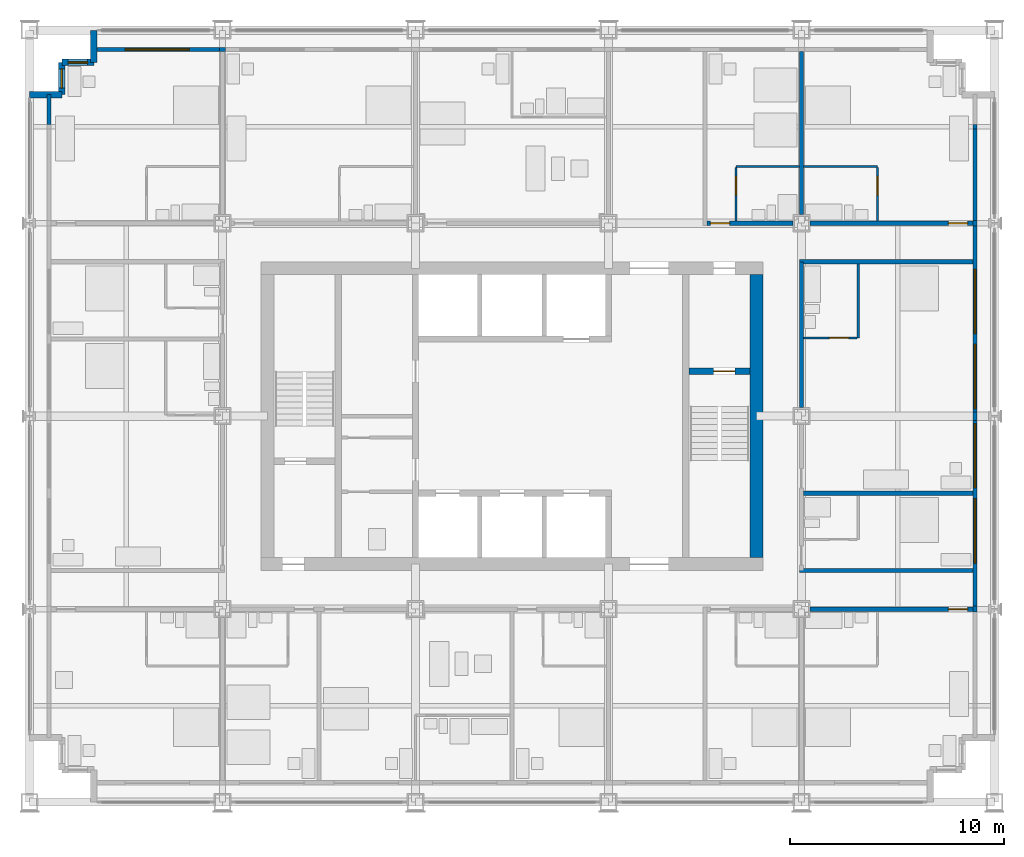
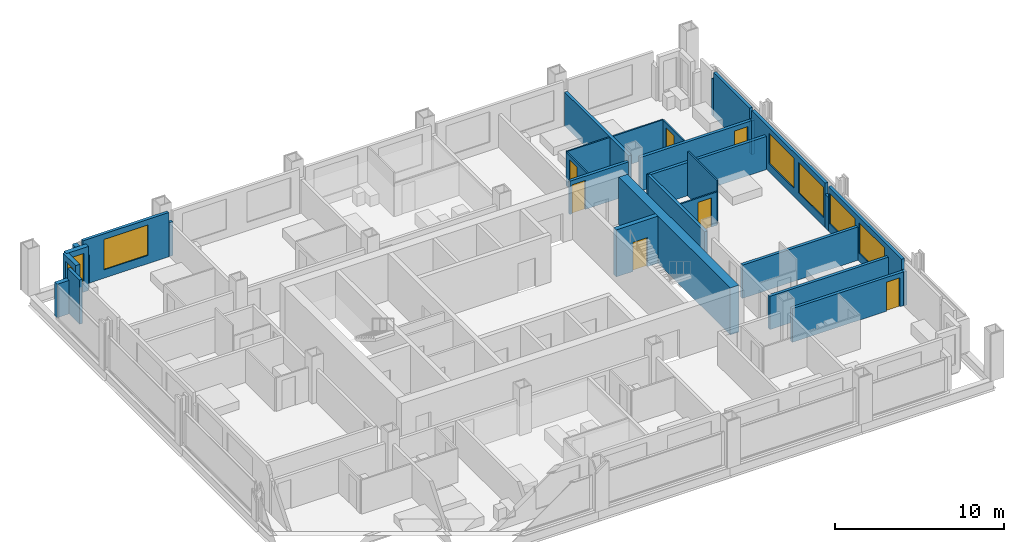
# One storey, part 12 of 16: 30 walls, 7 doors, 7 windows, 14 openings.
"""IFC4 building model written with IfcOpenShell, lengths in metres."""

from ifc_helpers import new_model, si_unit, direction, frame, frame_2d, origin, place, context, subcontext, project, spatial, rectangle, extrude, material, layer, layer_set, type_object, element, fill, save


model = new_model("IFC4")

# Units and contexts
model_context = context("Model", 3, precision=1e-05, world=origin(), true_north=direction((0.0, 1.0)))
body_context = subcontext(model_context, "Body", "Model", "MODEL_VIEW")
ifc_project = project(units=[si_unit("LENGTHUNIT", "METRE"), si_unit("AREAUNIT", "SQUARE_METRE"), si_unit("VOLUMEUNIT", "CUBIC_METRE"), si_unit("PLANEANGLEUNIT", "RADIAN"), si_unit("MASSUNIT", "GRAM", prefix="KILO")], contexts=[model_context])

# Site, building, storey
site_placement = place(None, origin())
site = spatial("IfcSite", under=ifc_project, at=site_placement, CompositionType="ELEMENT")
building_placement = place(site_placement, origin())
building = spatial("IfcBuilding", under=site, at=building_placement, Name="Loomwork Tower", CompositionType="ELEMENT")
storey_placement = place(building_placement, frame((0.0, 0.0, 121.39990234375)))
storey = spatial("IfcBuildingStorey", under=building, at=storey_placement, Name="L32", CompositionType="ELEMENT", Elevation=121.39990234375)

# Wall, opening, door
ifc_material_1 = material(Name="Concrete 14000 psi (97 MPa)", Category="concrete")
ifc_layer_1 = layer(ifc_material_1, 0.300048828125)
ifc_layer_set_1 = layer_set([ifc_layer_1], Name="Core shear wall 300")
wall_type_1 = type_object("IfcWallType", Name="Core shear wall 300", PredefinedType="SHEAR", material=ifc_layer_set_1)
wall_1_placement = place(storey_placement, frame((30.75, 20.10009765625, 0.0), z_axis=(0.0, 0.0, 1.0), x_axis=(1.0, 0.0, 0.0)))
wall_1 = element("IfcWall", 1, at=wall_1_placement, inside=storey, type_object=wall_type_1, Name="Stair B north wall L32", PredefinedType="SHEAR", context=body_context, shape_type="SweptSolid", body=[
    extrude(rectangle(XDim=2.85009765625, YDim=0.300048828125, at=frame_2d((1.425048828125, 0.0))), origin(), (0.0, 0.0, 1.0), 3.400146484375),
])
opening_1_placement = place(wall_1_placement, frame((1.14990234375, 0.0, 0.0)))
opening_1 = element("IfcOpeningElement", 2, at=opening_1_placement, cuts=wall_1, Name="Opening D4", PredefinedType="OPENING", context=body_context, shape_type="SweptSolid", body=[
    extrude(rectangle(XDim=1.0, YDim=2.10009765625, at=frame_2d((0.5, 1.050048828125))), frame((0.0, 0.159912109375, 0.0), z_axis=(0.0, -1.0, 0.0), x_axis=(1.0, 0.0, 0.0)), (0.0, 0.0, 1.0), 0.320068359375),
])
ifc_material_2 = material(Name="Hollow metal door and frame")
door_type_1 = type_object("IfcDoorType", Name="Stair door 1000", OperationType="SINGLE_SWING_RIGHT", PredefinedType="DOOR", material=ifc_material_2)
door_1_placement = place(opening_1_placement, frame((1.0, 0.0, 0.0), z_axis=(0.0, 0.0, 1.0), x_axis=(-1.0, 0.0, 0.0)))
door_1 = element("IfcDoor", 3, at=door_1_placement, inside=storey, type_object=door_type_1, Name="Stair B door", OperationType="SINGLE_SWING_LEFT", OverallHeight=2.10009765625, OverallWidth=1.0, PredefinedType="DOOR", context=body_context, shape_type="SweptSolid", body=[
    extrude(rectangle(XDim=1.0, YDim=2.10009765625, at=frame_2d((0.5, 1.050048828125))), frame((0.0, 0.02490234375, 0.0), z_axis=(0.0, -1.0, 0.0), x_axis=(1.0, 0.0, 0.0)), (0.0, 0.0, 1.0), 0.050048828125),
])
fill(opening_1, door_1)

# Wall
ifc_material_3 = material(Name="Concrete 14000 psi (97 MPa)", Category="concrete")
ifc_layer_2 = layer(ifc_material_3, 0.60009765625)
ifc_layer_set_2 = layer_set([ifc_layer_2], Name="Core shear wall 600")
wall_type_2 = type_object("IfcWallType", Name="Core shear wall 600", PredefinedType="SHEAR", material=ifc_layer_set_2)
wall_2_placement = place(storey_placement, frame((33.89990234375, 11.39990234375, 0.0), z_axis=(0.0, 0.0, 1.0), x_axis=(0.0, 1.0, 0.0)))
element("IfcWall", 4, at=wall_2_placement, inside=storey, type_object=wall_type_2, Name="Core wall east L32", PredefinedType="SHEAR", context=body_context, shape_type="SweptSolid", body=[
    extrude(rectangle(XDim=13.2001953125, YDim=0.60009765625, at=frame_2d((6.60009765625, 0.0))), origin(), (0.0, 0.0, 1.0), 3.400146484375),
])

# Wall, opening, door
ifc_material_4 = material(Name="Gypsum board on steel studs, one-hour", Category="steel")
ifc_layer_3 = layer(ifc_material_4, 0.199951171875)
ifc_layer_set_3 = layer_set([ifc_layer_3], Name="Corridor wall 200")
wall_type_3 = type_object("IfcWallType", Name="Corridor wall 200", PredefinedType="PARTITIONING", material=ifc_layer_set_3)
wall_3_placement = place(storey_placement, frame((36.39990234375, 9.0, 0.0), z_axis=(0.0, 0.0, 1.0), x_axis=(1.0, 0.0, 0.0)))
wall_3 = element("IfcWall", 5, at=wall_3_placement, inside=storey, type_object=wall_type_3, Name="South corridor wall 5", PredefinedType="PARTITIONING", context=body_context, shape_type="SweptSolid", body=[
    extrude(rectangle(XDim=7.60009765625, YDim=0.199951171875, at=frame_2d((3.800048828125, 0.0))), origin(), (0.0, 0.0, 1.0), 2.43798828125),
])
opening_2_placement = place(wall_3_placement, frame((6.449951171875, 0.0, 0.0)))
opening_2 = element("IfcOpeningElement", 6, at=opening_2_placement, cuts=wall_3, Name="Opening D1", PredefinedType="OPENING", context=body_context, shape_type="SweptSolid", body=[
    extrude(rectangle(XDim=0.89990234375, YDim=2.10009765625, at=frame_2d((0.449951171875, 1.050048828125))), frame((0.0, 0.10986328125, 0.0), z_axis=(0.0, -1.0, 0.0), x_axis=(1.0, 0.0, 0.0)), (0.0, 0.0, 1.0), 0.219970703125),
])
ifc_material_5 = material(Name="Hollow metal door and frame")
door_type_2 = type_object("IfcDoorType", Name="Guest room entry door 900", OperationType="SINGLE_SWING_LEFT", PredefinedType="DOOR", material=ifc_material_5)
door_2_placement = place(opening_2_placement, frame((0.89990234375, 0.0, 0.0), z_axis=(0.0, 0.0, 1.0), x_axis=(-1.0, 0.0, 0.0)))
door_2 = element("IfcDoor", 7, at=door_2_placement, inside=storey, type_object=door_type_2, Name="Guest room entry door L32 6", OperationType="SINGLE_SWING_LEFT", OverallHeight=2.10009765625, OverallWidth=0.89990234375, PredefinedType="DOOR", context=body_context, shape_type="SweptSolid", body=[
    extrude(rectangle(XDim=0.89990234375, YDim=2.10009765625, at=frame_2d((0.449951171875, 1.050048828125))), frame((0.0, 0.02490234375, 0.0), z_axis=(0.0, -1.0, 0.0), x_axis=(1.0, 0.0, 0.0)), (0.0, 0.0, 1.0), 0.050048828125),
])
fill(opening_2, door_2)

wall_4_placement = place(storey_placement, frame((31.60009765625, 27.0, 0.0), z_axis=(0.0, 0.0, 1.0), x_axis=(1.0, 0.0, 0.0)))
wall_4 = element("IfcWall", 8, at=wall_4_placement, inside=storey, type_object=wall_type_3, Name="North corridor wall 4", PredefinedType="PARTITIONING", context=body_context, shape_type="SweptSolid", body=[
    extrude(rectangle(XDim=4.0, YDim=0.199951171875, at=frame_2d((2.0, 0.0))), origin(), (0.0, 0.0, 1.0), 2.405029296875),
])
opening_3_placement = place(wall_4_placement, frame((0.14990234375, 0.0, 0.0)))
opening_3 = element("IfcOpeningElement", 9, at=opening_3_placement, cuts=wall_4, Name="Opening D1", PredefinedType="OPENING", context=body_context, shape_type="SweptSolid", body=[
    extrude(rectangle(XDim=0.89990234375, YDim=2.10009765625, at=frame_2d((0.449951171875, 1.050048828125))), frame((0.0, 0.10986328125, 0.0), z_axis=(0.0, -1.0, 0.0), x_axis=(1.0, 0.0, 0.0)), (0.0, 0.0, 1.0), 0.219970703125),
])
door_3_placement = place(opening_3_placement, origin())
door_3 = element("IfcDoor", 10, at=door_3_placement, inside=storey, type_object=door_type_2, Name="Guest room entry door L32 10", OperationType="SINGLE_SWING_LEFT", OverallHeight=2.10009765625, OverallWidth=0.89990234375, PredefinedType="DOOR", context=body_context, shape_type="SweptSolid", body=[
    extrude(rectangle(XDim=0.89990234375, YDim=2.10009765625, at=frame_2d((0.449951171875, 1.050048828125))), frame((0.0, 0.02490234375, 0.0), z_axis=(0.0, -1.0, 0.0), x_axis=(1.0, 0.0, 0.0)), (0.0, 0.0, 1.0), 0.050048828125),
])
fill(opening_3, door_3)

wall_5_placement = place(storey_placement, frame((36.39990234375, 27.0, 0.0), z_axis=(0.0, 0.0, 1.0), x_axis=(1.0, 0.0, 0.0)))
wall_5 = element("IfcWall", 11, at=wall_5_placement, inside=storey, type_object=wall_type_3, Name="North corridor wall 5", PredefinedType="PARTITIONING", context=body_context, shape_type="SweptSolid", body=[
    extrude(rectangle(XDim=7.60009765625, YDim=0.199951171875, at=frame_2d((3.800048828125, 0.0))), origin(), (0.0, 0.0, 1.0), 2.43798828125),
])
opening_4_placement = place(wall_5_placement, frame((6.449951171875, 0.0, 0.0)))
opening_4 = element("IfcOpeningElement", 12, at=opening_4_placement, cuts=wall_5, Name="Opening D1", PredefinedType="OPENING", context=body_context, shape_type="SweptSolid", body=[
    extrude(rectangle(XDim=0.89990234375, YDim=2.10009765625, at=frame_2d((0.449951171875, 1.050048828125))), frame((0.0, 0.10986328125, 0.0), z_axis=(0.0, -1.0, 0.0), x_axis=(1.0, 0.0, 0.0)), (0.0, 0.0, 1.0), 0.219970703125),
])
door_4_placement = place(opening_4_placement, origin())
door_4 = element("IfcDoor", 13, at=door_4_placement, inside=storey, type_object=door_type_2, Name="Guest room entry door L32 11", OperationType="SINGLE_SWING_RIGHT", OverallHeight=2.10009765625, OverallWidth=0.89990234375, PredefinedType="DOOR", context=body_context, shape_type="SweptSolid", body=[
    extrude(rectangle(XDim=0.89990234375, YDim=2.10009765625, at=frame_2d((0.449951171875, 1.050048828125))), frame((0.0, 0.02490234375, 0.0), z_axis=(0.0, -1.0, 0.0), x_axis=(1.0, 0.0, 0.0)), (0.0, 0.0, 1.0), 0.050048828125),
])
fill(opening_4, door_4)

# Walls
wall_6_placement = place(storey_placement, frame((36.0, 18.39990234375, 0.0), z_axis=(0.0, 0.0, 1.0), x_axis=(0.0, 1.0, 0.0)))
element("IfcWall", 14, at=wall_6_placement, inside=storey, type_object=wall_type_3, Name="East corridor wall 2", PredefinedType="PARTITIONING", context=body_context, shape_type="SweptSolid", body=[
    extrude(rectangle(XDim=6.800048828125, YDim=0.199951171875, at=frame_2d((3.39990234375, 0.0))), origin(), (0.0, 0.0, 1.0), 2.405029296875),
])
for number, where, z_axis, x_axis, name in (
    (15, (35.89990234375, 10.800048828125, 0.0), (0.0, 0.0, 1.0), (1.0, 0.0, 0.0), "East band end wall S"),
    (16, (35.89990234375, 25.199951171875, 0.0), (0.0, 0.0, 1.0), (1.0, 0.0, 0.0), "East band end wall N"),
):
    element("IfcWall", number, at=place(storey_placement, frame(where, z_axis=z_axis, x_axis=x_axis)), inside=storey, type_object=wall_type_3, Name=name, PredefinedType="PARTITIONING", context=body_context, shape_type="SweptSolid", body=[
        extrude(rectangle(XDim=8.10009765625, YDim=0.199951171875, at=frame_2d((4.050048828125, 0.0))), origin(), (0.0, 0.0, 1.0), 2.404052734375),
    ])
ifc_material_6 = material(Name="Cement board on steel studs", Category="steel")
ifc_layer_4 = layer(ifc_material_6, 0.10009765625)
ifc_layer_set_4 = layer_set([ifc_layer_4], Name="En-suite partition 100")
wall_type_4 = type_object("IfcWallType", Name="En-suite partition 100", PredefinedType="PARTITIONING", material=ifc_layer_set_4)
wall_7_placement = place(storey_placement, frame((32.949951171875, 29.64990234375, 0.0), z_axis=(0.0, 0.0, 1.0), x_axis=(1.0, 0.0, 0.0)))
element("IfcWall", 17, at=wall_7_placement, inside=storey, type_object=wall_type_4, Name="En-suite wall L32 room 10", PredefinedType="PARTITIONING", context=body_context, shape_type="SweptSolid", body=[
    extrude(rectangle(XDim=2.949951171875, YDim=0.10009765625, at=frame_2d((1.47509765625, 0.0))), origin(), (0.0, 0.0, 1.0), 2.43798828125),
])

# Wall, opening, door
wall_8_placement = place(storey_placement, frame((32.949951171875, 27.10009765625, 0.0), z_axis=(0.0, 0.0, 1.0), x_axis=(0.0, 1.0, 0.0)))
wall_8 = element("IfcWall", 18, at=wall_8_placement, inside=storey, type_object=wall_type_4, Name="En-suite side wall L32 room 10", PredefinedType="PARTITIONING", context=body_context, shape_type="SweptSolid", body=[
    extrude(rectangle(XDim=2.5, YDim=0.10009765625, at=frame_2d((1.25, 0.0))), origin(), (0.0, 0.0, 1.0), 2.404052734375),
])
opening_5_placement = place(wall_8_placement, frame((1.199951171875, 0.0, 0.0)))
opening_5 = element("IfcOpeningElement", 19, at=opening_5_placement, cuts=wall_8, Name="Opening D2", PredefinedType="OPENING", context=body_context, shape_type="SweptSolid", body=[
    extrude(rectangle(XDim=0.89990234375, YDim=2.10009765625, at=frame_2d((0.449951171875, 1.050048828125))), frame((0.0, 0.06005859375, 0.0), z_axis=(0.0, -1.0, 0.0), x_axis=(1.0, 0.0, 0.0)), (0.0, 0.0, 1.0), 0.1201171875),
])
ifc_material_7 = material(Name="Hollow metal door and frame")
door_type_3 = type_object("IfcDoorType", Name="En-suite door 900", OperationType="SINGLE_SWING_LEFT", PredefinedType="DOOR", material=ifc_material_7)
door_5_placement = place(opening_5_placement, frame((0.89990234375, 0.0, 0.0), z_axis=(0.0, 0.0, 1.0), x_axis=(-1.0, 0.0, 0.0)))
door_5 = element("IfcDoor", 20, at=door_5_placement, inside=storey, type_object=door_type_3, Name="En-suite door room 10", OperationType="SINGLE_SWING_LEFT", OverallHeight=2.10009765625, OverallWidth=0.89990234375, PredefinedType="DOOR", context=body_context, shape_type="SweptSolid", body=[
    extrude(rectangle(XDim=0.89990234375, YDim=2.10009765625, at=frame_2d((0.449951171875, 1.050048828125))), frame((0.0, 0.02490234375, 0.0), z_axis=(0.0, -1.0, 0.0), x_axis=(1.0, 0.0, 0.0)), (0.0, 0.0, 1.0), 0.050048828125),
])
fill(opening_5, door_5)

# Wall
wall_9_placement = place(storey_placement, frame((36.10009765625, 29.64990234375, 0.0), z_axis=(0.0, 0.0, 1.0), x_axis=(1.0, 0.0, 0.0)))
element("IfcWall", 21, at=wall_9_placement, inside=storey, type_object=wall_type_4, Name="En-suite wall L32 room 11", PredefinedType="PARTITIONING", context=body_context, shape_type="SweptSolid", body=[
    extrude(rectangle(XDim=3.449951171875, YDim=0.10009765625, at=frame_2d((1.72509765625, 0.0))), origin(), (0.0, 0.0, 1.0), 2.43798828125),
])

# Wall, opening, door
wall_10_placement = place(storey_placement, frame((39.550048828125, 27.10009765625, 0.0), z_axis=(0.0, 0.0, 1.0), x_axis=(0.0, 1.0, 0.0)))
wall_10 = element("IfcWall", 22, at=wall_10_placement, inside=storey, type_object=wall_type_4, Name="En-suite side wall L32 room 11", PredefinedType="PARTITIONING", context=body_context, shape_type="SweptSolid", body=[
    extrude(rectangle(XDim=2.5, YDim=0.10009765625, at=frame_2d((1.25, 0.0))), origin(), (0.0, 0.0, 1.0), 2.43798828125),
])
opening_6_placement = place(wall_10_placement, frame((1.199951171875, 0.0, 0.0)))
opening_6 = element("IfcOpeningElement", 23, at=opening_6_placement, cuts=wall_10, Name="Opening D2", PredefinedType="OPENING", context=body_context, shape_type="SweptSolid", body=[
    extrude(rectangle(XDim=0.89990234375, YDim=2.10009765625, at=frame_2d((0.449951171875, 1.050048828125))), frame((0.0, 0.06005859375, 0.0), z_axis=(0.0, -1.0, 0.0), x_axis=(1.0, 0.0, 0.0)), (0.0, 0.0, 1.0), 0.1201171875),
])
door_6_placement = place(opening_6_placement, origin())
door_6 = element("IfcDoor", 24, at=door_6_placement, inside=storey, type_object=door_type_3, Name="En-suite door room 11", OperationType="SINGLE_SWING_RIGHT", OverallHeight=2.10009765625, OverallWidth=0.89990234375, PredefinedType="DOOR", context=body_context, shape_type="SweptSolid", body=[
    extrude(rectangle(XDim=0.89990234375, YDim=2.10009765625, at=frame_2d((0.449951171875, 1.050048828125))), frame((0.0, 0.02490234375, 0.0), z_axis=(0.0, -1.0, 0.0), x_axis=(1.0, 0.0, 0.0)), (0.0, 0.0, 1.0), 0.050048828125),
])
fill(opening_6, door_6)

# Wall
wall_11_placement = place(storey_placement, frame((38.64990234375, 21.64990234375, 0.0), z_axis=(0.0, 0.0, 1.0), x_axis=(0.0, 1.0, 0.0)))
element("IfcWall", 25, at=wall_11_placement, inside=storey, type_object=wall_type_4, Name="En-suite wall L32 room 15", PredefinedType="PARTITIONING", context=body_context, shape_type="SweptSolid", body=[
    extrude(rectangle(XDim=3.4501953125, YDim=0.10009765625, at=frame_2d((1.72509765625, 0.0))), origin(), (0.0, 0.0, 1.0), 3.2001953125),
])

# Wall, opening, door
wall_12_placement = place(storey_placement, frame((36.10009765625, 21.64990234375, 0.0), z_axis=(0.0, 0.0, 1.0), x_axis=(1.0, 0.0, 0.0)))
wall_12 = element("IfcWall", 26, at=wall_12_placement, inside=storey, type_object=wall_type_4, Name="En-suite side wall L32 room 15", PredefinedType="PARTITIONING", context=body_context, shape_type="SweptSolid", body=[
    extrude(rectangle(XDim=2.5, YDim=0.10009765625, at=frame_2d((1.25, 0.0))), origin(), (0.0, 0.0, 1.0), 2.404052734375),
])
opening_7_placement = place(wall_12_placement, frame((1.199951171875, 0.0, 0.0)))
opening_7 = element("IfcOpeningElement", 27, at=opening_7_placement, cuts=wall_12, Name="Opening D2", PredefinedType="OPENING", context=body_context, shape_type="SweptSolid", body=[
    extrude(rectangle(XDim=0.89990234375, YDim=2.10009765625, at=frame_2d((0.449951171875, 1.050048828125))), frame((0.0, 0.06005859375, 0.0), z_axis=(0.0, -1.0, 0.0), x_axis=(1.0, 0.0, 0.0)), (0.0, 0.0, 1.0), 0.1201171875),
])
door_7_placement = place(opening_7_placement, origin())
door_7 = element("IfcDoor", 28, at=door_7_placement, inside=storey, type_object=door_type_3, Name="En-suite door room 15", OperationType="SINGLE_SWING_RIGHT", OverallHeight=2.10009765625, OverallWidth=0.89990234375, PredefinedType="DOOR", context=body_context, shape_type="SweptSolid", body=[
    extrude(rectangle(XDim=0.89990234375, YDim=2.10009765625, at=frame_2d((0.449951171875, 1.050048828125))), frame((0.0, 0.02490234375, 0.0), z_axis=(0.0, -1.0, 0.0), x_axis=(1.0, 0.0, 0.0)), (0.0, 0.0, 1.0), 0.050048828125),
])
fill(opening_7, door_7)

# Walls
ifc_material_8 = material(Name="Gypsum board on steel studs, acoustic", Category="steel")
ifc_layer_5 = layer(ifc_material_8, 0.199951171875)
ifc_layer_set_5 = layer_set([ifc_layer_5], Name="Guest room party wall 200")
wall_type_5 = type_object("IfcWallType", Name="Guest room party wall 200", PredefinedType="PARTITIONING", material=ifc_layer_set_5)
wall_13_placement = place(storey_placement, frame((36.0, 27.39990234375, 0.0), z_axis=(0.0, 0.0, 1.0), x_axis=(0.0, 1.0, 0.0)))
element("IfcWall", 29, at=wall_13_placement, inside=storey, type_object=wall_type_5, Name="Guest room party wall N 36", PredefinedType="PARTITIONING", context=body_context, shape_type="SweptSolid", body=[
    extrude(rectangle(XDim=7.60009765625, YDim=0.199951171875, at=frame_2d((3.800048828125, 0.0))), origin(), (0.0, 0.0, 1.0), 2.43798828125),
])
wall_14_placement = place(storey_placement, frame((36.10009765625, 14.39990234375, 0.0), z_axis=(0.0, 0.0, 1.0), x_axis=(1.0, 0.0, 0.0)))
element("IfcWall", 30, at=wall_14_placement, inside=storey, type_object=wall_type_5, Name="Guest room party wall E 14.4", PredefinedType="PARTITIONING", context=body_context, shape_type="SweptSolid", body=[
    extrude(rectangle(XDim=7.89990234375, YDim=0.199951171875, at=frame_2d((3.949951171875, 0.0))), origin(), (0.0, 0.0, 1.0), 2.404052734375),
])

# Wall, opening, window
ifc_material_9 = material(Name="Insulated steel stud wall with gypsum lining", Category="steel")
ifc_layer_6 = layer(ifc_material_9, 0.199951171875)
ifc_layer_set_6 = layer_set([ifc_layer_6], Name="Inner skin wall 200")
wall_type_6 = type_object("IfcWallType", Name="Inner skin wall 200", PredefinedType="SOLIDWALL", material=ifc_layer_set_6)
wall_15_placement = place(storey_placement, frame((3.0, 35.10009765625, 0.0), z_axis=(0.0, 0.0, 1.0), x_axis=(1.0, 0.0, 0.0)))
wall_15 = element("IfcWall", 31, at=wall_15_placement, inside=storey, type_object=wall_type_6, Name="Inner skin wall N", PredefinedType="SOLIDWALL", context=body_context, shape_type="SweptSolid", body=[
    extrude(rectangle(XDim=5.86474609375, YDim=0.199951171875, at=frame_2d((2.932373046875, 0.0))), origin(), (0.0, 0.0, 1.0), 3.2001953125),
])
opening_8_placement = place(wall_15_placement, frame((1.449951171875, 0.0, 0.60009765625)))
opening_8 = element("IfcOpeningElement", 32, at=opening_8_placement, cuts=wall_15, Name="Opening CH1", PredefinedType="OPENING", context=body_context, shape_type="SweptSolid", body=[
    extrude(rectangle(XDim=3.0, YDim=2.199951171875, at=frame_2d((1.5, 1.10009765625))), frame((0.0, 0.10986328125, 0.0), z_axis=(0.0, -1.0, 0.0), x_axis=(1.0, 0.0, 0.0)), (0.0, 0.0, 1.0), 0.219970703125),
])
ifc_material_10 = material(Name="Aluminium frame with clear insulated glass", Category="aluminium")
window_type_1 = type_object("IfcWindowType", Name="Chicago window 3000", PartitioningType="TRIPLE_PANEL_VERTICAL", PredefinedType="WINDOW", material=ifc_material_10)
window_1_placement = place(opening_8_placement, origin())
window_1 = element("IfcWindow", 33, at=window_1_placement, inside=storey, type_object=window_type_1, Name="Chicago window L32 bay 6", OverallHeight=2.199951171875, OverallWidth=3.0, PartitioningType="TRIPLE_PANEL_VERTICAL", PredefinedType="WINDOW", context=body_context, shape_type="SweptSolid", body=[
    extrude(rectangle(XDim=3.0, YDim=2.199951171875, at=frame_2d((1.5, 1.10009765625))), frame((0.0, 0.030029296875, 0.0), z_axis=(0.0, -1.0, 0.0), x_axis=(1.0, 0.0, 0.0)), (0.0, 0.0, 1.0), 0.06005859375),
])
fill(opening_8, window_1)

# Walls
wall_16_placement = place(storey_placement, frame((0.89990234375, 31.607421875, 0.0), z_axis=(0.0, 0.0, 1.0), x_axis=(0.0, 1.0, 0.0)))
element("IfcWall", 34, at=wall_16_placement, inside=storey, type_object=wall_type_6, Name="Inner skin wall W bay 11", PredefinedType="SOLIDWALL", context=body_context, shape_type="SweptSolid", body=[
    extrude(rectangle(XDim=1.392578125, YDim=0.199951171875, at=frame_2d((0.6962890625, 0.0))), origin(), (0.0, 0.0, 1.0), 3.2001953125),
])
for number, where, z_axis, x_axis, name in (
    (35, (8.86474609375, 35.10009765625, 0.0), (0.0, 0.0, 1.0), (1.0, 0.0, 0.0), "Inner skin wall N bay 2"),
    (36, (44.10009765625, 8.86474609375, 0.0), (0.0, 0.0, 1.0), (0.0, 1.0, 0.0), "Inner skin wall E bay 4"),
):
    element("IfcWall", number, at=place(storey_placement, frame(where, z_axis=z_axis, x_axis=x_axis)), inside=storey, type_object=wall_type_6, Name=name, PredefinedType="SOLIDWALL", context=body_context, shape_type="SweptSolid", body=[
        extrude(rectangle(XDim=0.2705078125, YDim=0.199951171875, at=frame_2d((0.13525390625, 0.0))), origin(), (0.0, 0.0, 1.0), 2.43798828125),
    ])

# Wall, openings, windows
wall_17_placement = place(storey_placement, frame((44.10009765625, 9.13525390625, 0.0), z_axis=(0.0, 0.0, 1.0), x_axis=(0.0, 1.0, 0.0)))
wall_17 = element("IfcWall", 37, at=wall_17_placement, inside=storey, type_object=wall_type_6, Name="Inner skin wall E bay 5", PredefinedType="SOLIDWALL", context=body_context, shape_type="SweptSolid", body=[
    extrude(rectangle(XDim=8.6708984375, YDim=0.199951171875, at=frame_2d((4.33544921875, 0.0))), origin(), (0.0, 0.0, 1.0), 3.2001953125),
])
opening_9_placement = place(wall_17_placement, frame((2.0146484375, 0.0, 0.60009765625)))
opening_9 = element("IfcOpeningElement", 38, at=opening_9_placement, cuts=wall_17, Name="Opening CH1", PredefinedType="OPENING", context=body_context, shape_type="SweptSolid", body=[
    extrude(rectangle(XDim=3.0, YDim=2.199951171875, at=frame_2d((1.5, 1.10009765625))), frame((0.0, 0.10986328125, 0.0), z_axis=(0.0, -1.0, 0.0), x_axis=(1.0, 0.0, 0.0)), (0.0, 0.0, 1.0), 0.219970703125),
])
opening_10_placement = place(wall_17_placement, frame((5.5146484375, 0.0, 0.60009765625)))
opening_10 = element("IfcOpeningElement", 39, at=opening_10_placement, cuts=wall_17, Name="Opening CH1", PredefinedType="OPENING", context=body_context, shape_type="SweptSolid", body=[
    extrude(rectangle(XDim=3.0, YDim=2.199951171875, at=frame_2d((1.5, 1.10009765625))), frame((0.0, 0.10986328125, 0.0), z_axis=(0.0, -1.0, 0.0), x_axis=(1.0, 0.0, 0.0)), (0.0, 0.0, 1.0), 0.219970703125),
])
window_2_placement = place(opening_9_placement, origin())
window_2 = element("IfcWindow", 40, at=window_2_placement, inside=storey, type_object=window_type_1, Name="Chicago window L32 bay 13", OverallHeight=2.199951171875, OverallWidth=3.0, PartitioningType="TRIPLE_PANEL_VERTICAL", PredefinedType="WINDOW", context=body_context, shape_type="SweptSolid", body=[
    extrude(rectangle(XDim=3.0, YDim=2.199951171875, at=frame_2d((1.5, 1.10009765625))), frame((0.0, 0.030029296875, 0.0), z_axis=(0.0, -1.0, 0.0), x_axis=(1.0, 0.0, 0.0)), (0.0, 0.0, 1.0), 0.06005859375),
])
fill(opening_9, window_2)
window_3_placement = place(opening_10_placement, origin())
window_3 = element("IfcWindow", 41, at=window_3_placement, inside=storey, type_object=window_type_1, Name="Chicago window L32 bay 13", OverallHeight=2.199951171875, OverallWidth=3.0, PartitioningType="TRIPLE_PANEL_VERTICAL", PredefinedType="WINDOW", context=body_context, shape_type="SweptSolid", body=[
    extrude(rectangle(XDim=3.0, YDim=2.199951171875, at=frame_2d((1.5, 1.10009765625))), frame((0.0, 0.030029296875, 0.0), z_axis=(0.0, -1.0, 0.0), x_axis=(1.0, 0.0, 0.0)), (0.0, 0.0, 1.0), 0.06005859375),
])
fill(opening_10, window_3)

# Wall
wall_18_placement = place(storey_placement, frame((44.10009765625, 17.80615234375, 0.0), z_axis=(0.0, 0.0, 1.0), x_axis=(0.0, 1.0, 0.0)))
element("IfcWall", 42, at=wall_18_placement, inside=storey, type_object=wall_type_6, Name="Inner skin wall E bay 6", PredefinedType="SOLIDWALL", context=body_context, shape_type="SweptSolid", body=[
    extrude(rectangle(XDim=0.3876953125, YDim=0.199951171875, at=frame_2d((0.19384765625, 0.0))), origin(), (0.0, 0.0, 1.0), 2.404052734375),
])

# Wall, openings, windows
wall_19_placement = place(storey_placement, frame((44.10009765625, 18.19384765625, 0.0), z_axis=(0.0, 0.0, 1.0), x_axis=(0.0, 1.0, 0.0)))
wall_19 = element("IfcWall", 43, at=wall_19_placement, inside=storey, type_object=wall_type_6, Name="Inner skin wall E bay 7", PredefinedType="SOLIDWALL", context=body_context, shape_type="SweptSolid", body=[
    extrude(rectangle(XDim=8.6708984375, YDim=0.199951171875, at=frame_2d((4.33544921875, 0.0))), origin(), (0.0, 0.0, 1.0), 3.2001953125),
])
opening_11_placement = place(wall_19_placement, frame((0.15625, 0.0, 0.60009765625)))
opening_11 = element("IfcOpeningElement", 44, at=opening_11_placement, cuts=wall_19, Name="Opening CH1", PredefinedType="OPENING", context=body_context, shape_type="SweptSolid", body=[
    extrude(rectangle(XDim=3.0, YDim=2.199951171875, at=frame_2d((1.5, 1.10009765625))), frame((0.0, 0.10986328125, 0.0), z_axis=(0.0, -1.0, 0.0), x_axis=(1.0, 0.0, 0.0)), (0.0, 0.0, 1.0), 0.219970703125),
])
opening_12_placement = place(wall_19_placement, frame((3.65625, 0.0, 0.60009765625)))
opening_12 = element("IfcOpeningElement", 45, at=opening_12_placement, cuts=wall_19, Name="Opening CH1", PredefinedType="OPENING", context=body_context, shape_type="SweptSolid", body=[
    extrude(rectangle(XDim=3.0, YDim=2.199951171875, at=frame_2d((1.5, 1.10009765625))), frame((0.0, 0.10986328125, 0.0), z_axis=(0.0, -1.0, 0.0), x_axis=(1.0, 0.0, 0.0)), (0.0, 0.0, 1.0), 0.219970703125),
])
window_4_placement = place(opening_11_placement, origin())
window_4 = element("IfcWindow", 46, at=window_4_placement, inside=storey, type_object=window_type_1, Name="Chicago window L32 bay 14", OverallHeight=2.199951171875, OverallWidth=3.0, PartitioningType="TRIPLE_PANEL_VERTICAL", PredefinedType="WINDOW", context=body_context, shape_type="SweptSolid", body=[
    extrude(rectangle(XDim=3.0, YDim=2.199951171875, at=frame_2d((1.5, 1.10009765625))), frame((0.0, 0.030029296875, 0.0), z_axis=(0.0, -1.0, 0.0), x_axis=(1.0, 0.0, 0.0)), (0.0, 0.0, 1.0), 0.06005859375),
])
fill(opening_11, window_4)
window_5_placement = place(opening_12_placement, origin())
window_5 = element("IfcWindow", 47, at=window_5_placement, inside=storey, type_object=window_type_1, Name="Chicago window L32 bay 14", OverallHeight=2.199951171875, OverallWidth=3.0, PartitioningType="TRIPLE_PANEL_VERTICAL", PredefinedType="WINDOW", context=body_context, shape_type="SweptSolid", body=[
    extrude(rectangle(XDim=3.0, YDim=2.199951171875, at=frame_2d((1.5, 1.10009765625))), frame((0.0, 0.030029296875, 0.0), z_axis=(0.0, -1.0, 0.0), x_axis=(1.0, 0.0, 0.0)), (0.0, 0.0, 1.0), 0.06005859375),
])
fill(opening_12, window_5)

# Walls
wall_20_placement = place(storey_placement, frame((44.10009765625, 26.86474609375, 0.0), z_axis=(0.0, 0.0, 1.0), x_axis=(0.0, 1.0, 0.0)))
element("IfcWall", 48, at=wall_20_placement, inside=storey, type_object=wall_type_6, Name="Inner skin wall E bay 8", PredefinedType="SOLIDWALL", context=body_context, shape_type="SweptSolid", body=[
    extrude(rectangle(XDim=0.2705078125, YDim=0.199951171875, at=frame_2d((0.13525390625, 0.0))), origin(), (0.0, 0.0, 1.0), 2.43798828125),
])
wall_21_placement = place(storey_placement, frame((44.10009765625, 27.13525390625, 0.0), z_axis=(0.0, 0.0, 1.0), x_axis=(0.0, 1.0, 0.0)))
element("IfcWall", 49, at=wall_21_placement, inside=storey, type_object=wall_type_6, Name="Inner skin wall E bay 9", PredefinedType="SOLIDWALL", context=body_context, shape_type="SweptSolid", body=[
    extrude(rectangle(XDim=4.25732421875, YDim=0.199951171875, at=frame_2d((2.128662109375, 0.0))), origin(), (0.0, 0.0, 1.0), 3.2001953125),
])
wall_22_placement = place(storey_placement, frame((44.10009765625, 31.392578125, 0.0), z_axis=(0.0, 0.0, 1.0), x_axis=(0.0, 1.0, 0.0)))
element("IfcWall", 50, at=wall_22_placement, inside=storey, type_object=wall_type_6, Name="Inner skin wall E bay 10", PredefinedType="SOLIDWALL", context=body_context, shape_type="SweptSolid", body=[
    extrude(rectangle(XDim=0.21484375, YDim=0.199951171875, at=frame_2d((0.107421875, 0.0))), origin(), (0.0, 0.0, 1.0), 2.6611328125),
])
ifc_material_11 = material(Name="Limestone on concrete masonry", Category="masonry")
ifc_layer_7 = layer(ifc_material_11, 0.300048828125)
ifc_layer_set_7 = layer_set([ifc_layer_7], Name="Limestone corner wall 300")
wall_type_7 = type_object("IfcWallType", Name="Limestone corner wall 300", PredefinedType="SOLIDWALL", material=ifc_layer_set_7)
wall_23_placement = place(storey_placement, frame((3.0, 36.0, 0.0), z_axis=(0.0, 0.0, 1.0), x_axis=(0.0, -1.0, 0.0)))
element("IfcWall", 51, at=wall_23_placement, inside=storey, type_object=wall_type_7, Name="Stone corner wall NW 1", PredefinedType="SOLIDWALL", context=body_context, shape_type="SweptSolid", body=[
    extrude(rectangle(XDim=1.5, YDim=0.300048828125, at=frame_2d((0.75, 0.0))), origin(), (0.0, 0.0, 1.0), 2.420166015625),
])

# Wall, opening, window
wall_24_placement = place(storey_placement, frame((3.0, 34.5, 0.0), z_axis=(0.0, 0.0, 1.0), x_axis=(-1.0, 0.0, 0.0)))
wall_24 = element("IfcWall", 52, at=wall_24_placement, inside=storey, type_object=wall_type_7, Name="Stone corner wall NW 2", PredefinedType="SOLIDWALL", context=body_context, shape_type="SweptSolid", body=[
    extrude(rectangle(XDim=1.5, YDim=0.300048828125, at=frame_2d((0.75, 0.0))), origin(), (0.0, 0.0, 1.0), 3.2001953125),
])
opening_13_placement = place(wall_24_placement, frame((0.300048828125, 0.0, 0.60009765625)))
opening_13 = element("IfcOpeningElement", 53, at=opening_13_placement, cuts=wall_24, Name="Opening CH2", PredefinedType="OPENING", context=body_context, shape_type="SweptSolid", body=[
    extrude(rectangle(XDim=0.89990234375, YDim=2.199951171875, at=frame_2d((0.449951171875, 1.10009765625))), frame((0.0, 0.159912109375, 0.0), z_axis=(0.0, -1.0, 0.0), x_axis=(1.0, 0.0, 0.0)), (0.0, 0.0, 1.0), 0.320068359375),
])
ifc_material_12 = material(Name="Aluminium frame with clear insulated glass", Category="aluminium")
window_type_2 = type_object("IfcWindowType", Name="Corner window 900", PartitioningType="SINGLE_PANEL", PredefinedType="WINDOW", material=ifc_material_12)
window_6_placement = place(opening_13_placement, origin())
window_6 = element("IfcWindow", 54, at=window_6_placement, inside=storey, type_object=window_type_2, Name="Corner window NW", OverallHeight=2.199951171875, OverallWidth=0.89990234375, PartitioningType="SINGLE_PANEL", PredefinedType="WINDOW", context=body_context, shape_type="SweptSolid", body=[
    extrude(rectangle(XDim=0.89990234375, YDim=2.199951171875, at=frame_2d((0.449951171875, 1.10009765625))), frame((0.0, 0.030029296875, 0.0), z_axis=(0.0, -1.0, 0.0), x_axis=(1.0, 0.0, 0.0)), (0.0, 0.0, 1.0), 0.06005859375),
])
fill(opening_13, window_6)

wall_25_placement = place(storey_placement, frame((1.5, 34.5, 0.0), z_axis=(0.0, 0.0, 1.0), x_axis=(0.0, -1.0, 0.0)))
wall_25 = element("IfcWall", 55, at=wall_25_placement, inside=storey, type_object=wall_type_7, Name="Stone corner wall NW 3", PredefinedType="SOLIDWALL", context=body_context, shape_type="SweptSolid", body=[
    extrude(rectangle(XDim=1.5, YDim=0.300048828125, at=frame_2d((0.75, 0.0))), origin(), (0.0, 0.0, 1.0), 3.2001953125),
])
opening_14_placement = place(wall_25_placement, frame((0.300048828125, 0.0, 0.60009765625)))
opening_14 = element("IfcOpeningElement", 56, at=opening_14_placement, cuts=wall_25, Name="Opening CH2", PredefinedType="OPENING", context=body_context, shape_type="SweptSolid", body=[
    extrude(rectangle(XDim=0.89990234375, YDim=2.199951171875, at=frame_2d((0.449951171875, 1.10009765625))), frame((0.0, 0.159912109375, 0.0), z_axis=(0.0, -1.0, 0.0), x_axis=(1.0, 0.0, 0.0)), (0.0, 0.0, 1.0), 0.320068359375),
])
window_7_placement = place(opening_14_placement, origin())
window_7 = element("IfcWindow", 57, at=window_7_placement, inside=storey, type_object=window_type_2, Name="Corner window NW", OverallHeight=2.199951171875, OverallWidth=0.89990234375, PartitioningType="SINGLE_PANEL", PredefinedType="WINDOW", context=body_context, shape_type="SweptSolid", body=[
    extrude(rectangle(XDim=0.89990234375, YDim=2.199951171875, at=frame_2d((0.449951171875, 1.10009765625))), frame((0.0, 0.030029296875, 0.0), z_axis=(0.0, -1.0, 0.0), x_axis=(1.0, 0.0, 0.0)), (0.0, 0.0, 1.0), 0.06005859375),
])
fill(opening_14, window_7)

# Wall
wall_26_placement = place(storey_placement, frame((1.5, 33.0, 0.0), z_axis=(0.0, 0.0, 1.0), x_axis=(-1.0, 0.0, 0.0)))
element("IfcWall", 58, at=wall_26_placement, inside=storey, type_object=wall_type_7, Name="Stone corner wall NW 4", PredefinedType="SOLIDWALL", context=body_context, shape_type="SweptSolid", body=[
    extrude(rectangle(XDim=1.5, YDim=0.300048828125, at=frame_2d((0.75, 0.0))), origin(), (0.0, 0.0, 1.0), 2.420166015625),
])

save(model, "model.ifc")
